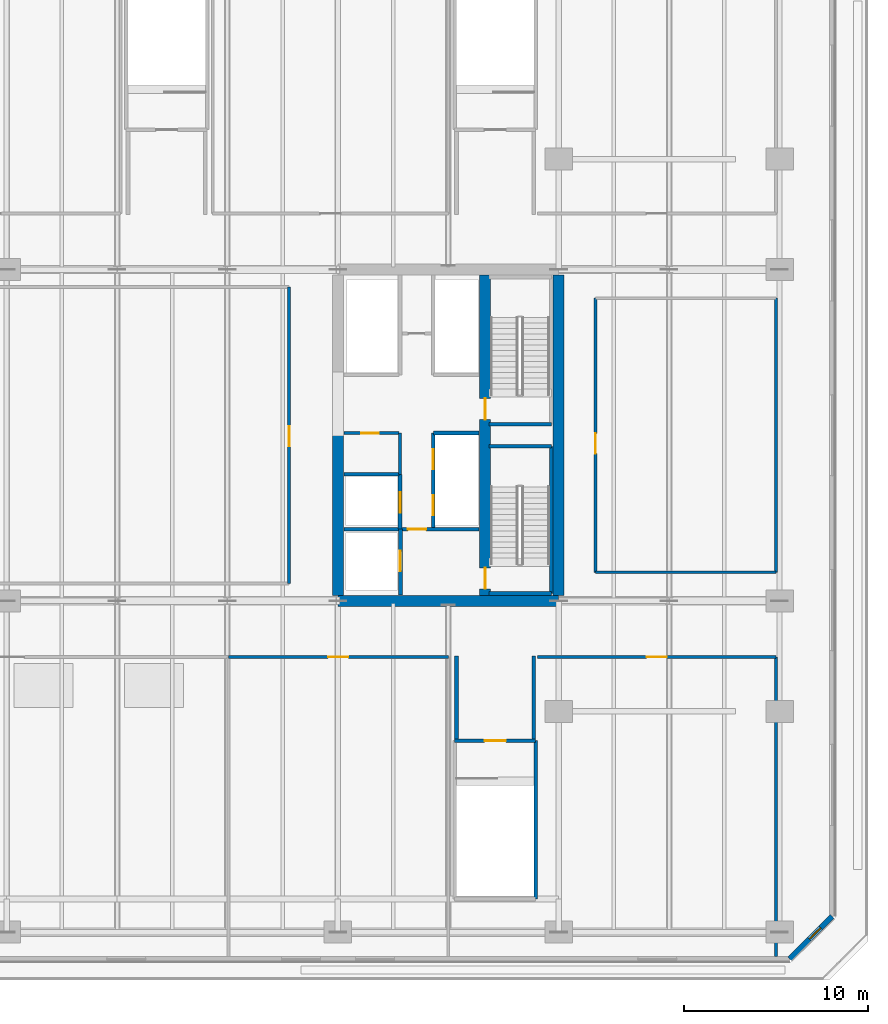
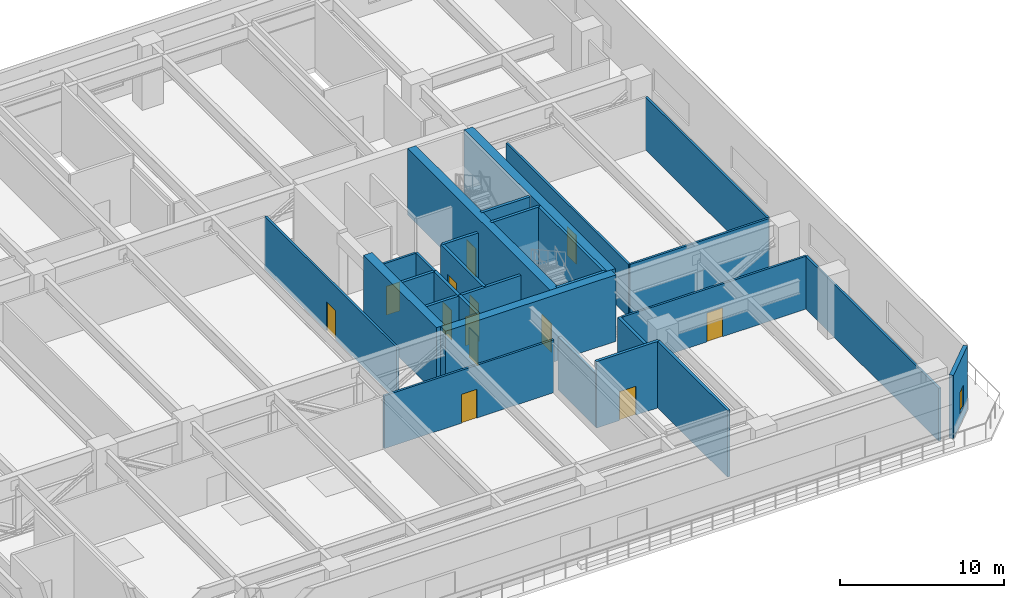
# One storey, part 14 of 25: 28 walls, 13 doors, 1 window, 14 openings.
"""IFC4 building model written with IfcOpenShell, lengths in metres."""

from ifc_helpers import new_model, si_unit, direction, frame, frame_2d, origin, place, context, subcontext, project, spatial, rectangle, extrude, material, layer, layer_set, type_object, element, fill, save


model = new_model("IFC4")

# Units and contexts
model_context = context("Model", 3, precision=1e-05, world=origin(), true_north=direction((0.0, 1.0)))
body_context = subcontext(model_context, "Body", "Model", "MODEL_VIEW")
ifc_project = project(units=[si_unit("LENGTHUNIT", "METRE"), si_unit("AREAUNIT", "SQUARE_METRE"), si_unit("VOLUMEUNIT", "CUBIC_METRE"), si_unit("PLANEANGLEUNIT", "RADIAN"), si_unit("MASSUNIT", "GRAM", prefix="KILO")], contexts=[model_context])

# Site, building, storey
site_placement = place(None, origin())
site = spatial("IfcSite", under=ifc_project, at=site_placement, CompositionType="ELEMENT")
building_placement = place(site_placement, origin())
building = spatial("IfcBuilding", under=site, at=building_placement, Name="Tanjung Sevakor Pilgrim Tower", CompositionType="ELEMENT")
storey_placement = place(building_placement, frame((0.0, 0.0, 24.090087890625)))
storey = spatial("IfcBuildingStorey", under=building, at=storey_placement, Name="L06", CompositionType="ELEMENT", Elevation=24.090087890625)

# Walls
ifc_material_1 = material(Name="Concrete C60/75", Category="concrete")
ifc_layer_1 = layer(ifc_material_1, 0.60009765625)
ifc_layer_set_1 = layer_set([ifc_layer_1], Name="WALL-CW-600")
wall_type_1 = type_object("IfcWallType", Name="WALL-CW-600", PredefinedType="SHEAR", material=ifc_layer_set_1)
wall_1_placement = place(storey_placement, frame((78.0, 24.60009765625, 0.0), z_axis=(0.0, 0.0, 1.0), x_axis=(1.0, 0.0, 0.0)))
element("IfcWall", 1, at=wall_1_placement, inside=storey, type_object=wall_type_1, Name="L06 E Core South Shear Wall", PredefinedType="SHEAR", context=body_context, shape_type="SweptSolid", body=[
    extrude(rectangle(XDim=12.0, YDim=0.60009765625, at=frame_2d((6.0, 0.0))), origin(), (0.0, 0.0, 1.0), 4.949951171875),
])
wall_2_placement = place(storey_placement, frame((90.0, 24.89990234375, 0.0), z_axis=(0.0, 0.0, 1.0), x_axis=(0.0, 1.0, 0.0)))
element("IfcWall", 2, at=wall_2_placement, inside=storey, type_object=wall_type_1, Name="L06 E Core Outer Shear Wall", PredefinedType="SHEAR", context=body_context, shape_type="SweptSolid", body=[
    extrude(rectangle(XDim=17.400146484375, YDim=0.60009765625, at=frame_2d((8.7001953125, 0.0))), origin(), (0.0, 0.0, 1.0), 4.949951171875),
])
wall_3_placement = place(storey_placement, frame((78.0, 24.89990234375, 0.0), z_axis=(0.0, 0.0, 1.0), x_axis=(0.0, 1.0, 0.0)))
element("IfcWall", 3, at=wall_3_placement, inside=storey, type_object=wall_type_1, Name="L06 E Core Inner Shear Wall South", PredefinedType="SHEAR", context=body_context, shape_type="SweptSolid", body=[
    extrude(rectangle(XDim=8.900146484375, YDim=0.60009765625, at=frame_2d((4.4501953125, 0.0))), origin(), (0.0, 0.0, 1.0), 4.949951171875),
])

# Wall, openings, doors
wall_4_placement = place(storey_placement, frame((86.0, 24.89990234375, 0.0), z_axis=(0.0, 0.0, 1.0), x_axis=(0.0, 1.0, 0.0)))
wall_4 = element("IfcWall", 4, at=wall_4_placement, inside=storey, type_object=wall_type_1, Name="L06 E Core Stair Spine Wall", PredefinedType="SHEAR", context=body_context, shape_type="SweptSolid", body=[
    extrude(rectangle(XDim=17.400146484375, YDim=0.60009765625, at=frame_2d((8.7001953125, 0.0))), origin(), (0.0, 0.0, 1.0), 4.949951171875),
])
opening_1_placement = place(wall_4_placement, frame((0.35009765625, 0.0, 0.0)))
opening_1 = element("IfcOpeningElement", 5, at=opening_1_placement, cuts=wall_4, Name="Opening ID-ST1", PredefinedType="OPENING", context=body_context, shape_type="SweptSolid", body=[
    extrude(rectangle(XDim=1.14990234375, YDim=2.14990234375, at=frame_2d((0.574951171875, 1.074951171875))), frame((0.0, 0.31005859375, 0.0), z_axis=(0.0, -1.0, 0.0), x_axis=(1.0, 0.0, 0.0)), (0.0, 0.0, 1.0), 0.6201171875),
])
opening_2_placement = place(wall_4_placement, frame((9.550048828125, 0.0, 0.0)))
opening_2 = element("IfcOpeningElement", 6, at=opening_2_placement, cuts=wall_4, Name="Opening ID-ST1", PredefinedType="OPENING", context=body_context, shape_type="SweptSolid", body=[
    extrude(rectangle(XDim=1.14990234375, YDim=2.14990234375, at=frame_2d((0.574951171875, 1.074951171875))), frame((0.0, 0.31005859375, 0.0), z_axis=(0.0, -1.0, 0.0), x_axis=(1.0, 0.0, 0.0)), (0.0, 0.0, 1.0), 0.6201171875),
])
ifc_material_2 = material(Name="Fire-Rated Steel S355J2", Category="steel")
door_type_1 = type_object("IfcDoorType", Name="DT-FIRE-1150", OperationType="NOTDEFINED", PredefinedType="DOOR", material=ifc_material_2)
door_1_placement = place(opening_1_placement, origin())
door_1 = element("IfcDoor", 7, at=door_1_placement, inside=storey, type_object=door_type_1, Name="L06 TS-E1 Stair Fire Door", OperationType="SINGLE_SWING_RIGHT", OverallHeight=2.14990234375, OverallWidth=1.14990234375, PredefinedType="DOOR", context=body_context, shape_type="SweptSolid", body=[
    extrude(rectangle(XDim=1.14990234375, YDim=2.14990234375, at=frame_2d((0.574951171875, 1.074951171875))), frame((0.0, 0.02490234375, 0.0), z_axis=(0.0, -1.0, 0.0), x_axis=(1.0, 0.0, 0.0)), (0.0, 0.0, 1.0), 0.050048828125),
])
fill(opening_1, door_1)
door_2_placement = place(opening_2_placement, origin())
door_2 = element("IfcDoor", 8, at=door_2_placement, inside=storey, type_object=door_type_1, Name="L06 TS-E2 Stair Fire Door", OperationType="SINGLE_SWING_LEFT", OverallHeight=2.14990234375, OverallWidth=1.14990234375, PredefinedType="DOOR", context=body_context, shape_type="SweptSolid", body=[
    extrude(rectangle(XDim=1.14990234375, YDim=2.14990234375, at=frame_2d((0.574951171875, 1.074951171875))), frame((0.0, 0.02490234375, 0.0), z_axis=(0.0, -1.0, 0.0), x_axis=(1.0, 0.0, 0.0)), (0.0, 0.0, 1.0), 0.050048828125),
])
fill(opening_2, door_2)

# Wall
ifc_material_3 = material(Name="Concrete C40/50", Category="concrete")
ifc_layer_2 = layer(ifc_material_3, 0.14990234375)
ifc_layer_set_2 = layer_set([ifc_layer_2], Name="WT-COMP-150")
wall_type_2 = type_object("IfcWallType", Name="WT-COMP-150", PredefinedType="SOLIDWALL", material=ifc_layer_set_2)
wall_5_placement = place(storey_placement, frame((81.3798828125, 31.47998046875, 0.0), z_axis=(0.0, 0.0, 1.0), x_axis=(0.0, 1.0, 0.0)))
element("IfcWall", 9, at=wall_5_placement, inside=storey, type_object=wall_type_2, Name="L06 Partition IW-L06-021", PredefinedType="SOLIDWALL", context=body_context, shape_type="SweptSolid", body=[
    extrude(rectangle(XDim=2.239990234375, YDim=0.14990234375, at=frame_2d((1.1201171875, 0.0))), origin(), (0.0, 0.0, 1.0), 3.929931640625),
])

# Wall, opening, door
wall_6_placement = place(storey_placement, frame((78.320068359375, 33.719970703125, 0.0), z_axis=(0.0, 0.0, 1.0), x_axis=(1.0, 0.0, 0.0)))
wall_6 = element("IfcWall", 10, at=wall_6_placement, inside=storey, type_object=wall_type_2, Name="L06 Partition IW-L06-022", PredefinedType="SOLIDWALL", context=body_context, shape_type="SweptSolid", body=[
    extrude(rectangle(XDim=3.0, YDim=0.14990234375, at=frame_2d((1.5, 0.0))), origin(), (0.0, 0.0, 1.0), 3.929931640625),
])
opening_3_placement = place(wall_6_placement, frame((0.949951171875, 0.0, 0.0)))
opening_3 = element("IfcOpeningElement", 11, at=opening_3_placement, cuts=wall_6, Name="Opening ID-FD2", PredefinedType="OPENING", context=body_context, shape_type="SweptSolid", body=[
    extrude(rectangle(XDim=0.949951171875, YDim=2.14990234375, at=frame_2d((0.47509765625, 1.074951171875))), frame((0.0, 0.0849609375, 0.0), z_axis=(0.0, -1.0, 0.0), x_axis=(1.0, 0.0, 0.0)), (0.0, 0.0, 1.0), 0.169921875),
])
ifc_material_4 = material(Name="Fire-Rated Timber", Category="wood")
door_type_2 = type_object("IfcDoorType", Name="DT-FIRE-950", OperationType="NOTDEFINED", PredefinedType="DOOR", material=ifc_material_4)
door_3_placement = place(opening_3_placement, origin())
door_3 = element("IfcDoor", 12, at=door_3_placement, inside=storey, type_object=door_type_2, Name="L06 Accessible WC Door", OperationType="SINGLE_SWING_LEFT", OverallHeight=2.14990234375, OverallWidth=0.949951171875, PredefinedType="DOOR", context=body_context, shape_type="SweptSolid", body=[
    extrude(rectangle(XDim=0.949951171875, YDim=2.14990234375, at=frame_2d((0.47509765625, 1.074951171875))), frame((0.0, 0.02490234375, 0.0), z_axis=(0.0, -1.0, 0.0), x_axis=(1.0, 0.0, 0.0)), (0.0, 0.0, 1.0), 0.050048828125),
])
fill(opening_3, door_3)

wall_7_placement = place(storey_placement, frame((72.050048828125, 21.550048828125, 0.0), z_axis=(0.0, 0.0, 1.0), x_axis=(1.0, 0.0, 0.0)))
wall_7 = element("IfcWall", 13, at=wall_7_placement, inside=storey, type_object=wall_type_2, Name="L06 Partition IW-L06-044", PredefinedType="SOLIDWALL", context=body_context, shape_type="SweptSolid", body=[
    extrude(rectangle(XDim=11.949951171875, YDim=0.14990234375, at=frame_2d((5.97509765625, 0.0))), origin(), (0.0, 0.0, 1.0), 3.929931640625),
])
opening_4_placement = place(wall_7_placement, frame((5.425048828125, 0.0, 0.0)))
opening_4 = element("IfcOpeningElement", 14, at=opening_4_placement, cuts=wall_7, Name="Opening ID-RM2", PredefinedType="OPENING", context=body_context, shape_type="SweptSolid", body=[
    extrude(rectangle(XDim=1.10009765625, YDim=2.14990234375, at=frame_2d((0.550048828125, 1.074951171875))), frame((0.0, 0.0849609375, 0.0), z_axis=(0.0, -1.0, 0.0), x_axis=(1.0, 0.0, 0.0)), (0.0, 0.0, 1.0), 0.169921875),
])
ifc_material_5 = material(Name="Hardwood Timber", Category="wood")
door_type_3 = type_object("IfcDoorType", Name="DT-INT-1100", OperationType="NOTDEFINED", PredefinedType="DOOR", material=ifc_material_5)
door_4_placement = place(opening_4_placement, origin())
door_4 = element("IfcDoor", 15, at=door_4_placement, inside=storey, type_object=door_type_3, Name="L06 South Tea Door", OperationType="SINGLE_SWING_RIGHT", OverallHeight=2.14990234375, OverallWidth=1.10009765625, PredefinedType="DOOR", context=body_context, shape_type="SweptSolid", body=[
    extrude(rectangle(XDim=1.10009765625, YDim=2.14990234375, at=frame_2d((0.550048828125, 1.074951171875))), frame((0.0, 0.02490234375, 0.0), z_axis=(0.0, -1.0, 0.0), x_axis=(1.0, 0.0, 0.0)), (0.0, 0.0, 1.0), 0.050048828125),
])
fill(opening_4, door_4)

wall_8_placement = place(storey_placement, frame((75.35009765625, 25.550048828125, 0.0), z_axis=(0.0, 0.0, 1.0), x_axis=(0.0, 1.0, 0.0)))
wall_8 = element("IfcWall", 16, at=wall_8_placement, inside=storey, type_object=wall_type_2, Name="L06 Partition IW-L06-060", PredefinedType="SOLIDWALL", context=body_context, shape_type="SweptSolid", body=[
    extrude(rectangle(XDim=16.099853515625, YDim=0.14990234375, at=frame_2d((8.0498046875, 0.0))), origin(), (0.0, 0.0, 1.0), 3.929931640625),
])
opening_5_placement = place(wall_8_placement, frame((7.449951171875, 0.0, 0.0)))
opening_5 = element("IfcOpeningElement", 17, at=opening_5_placement, cuts=wall_8, Name="Opening ID-RM2", PredefinedType="OPENING", context=body_context, shape_type="SweptSolid", body=[
    extrude(rectangle(XDim=1.10009765625, YDim=2.14990234375, at=frame_2d((0.550048828125, 1.074951171875))), frame((0.0, 0.0849609375, 0.0), z_axis=(0.0, -1.0, 0.0), x_axis=(1.0, 0.0, 0.0)), (0.0, 0.0, 1.0), 0.169921875),
])
door_5_placement = place(opening_5_placement, origin())
door_5 = element("IfcDoor", 18, at=door_5_placement, inside=storey, type_object=door_type_3, Name="L06 East Council Door", OperationType="SINGLE_SWING_LEFT", OverallHeight=2.14990234375, OverallWidth=1.10009765625, PredefinedType="DOOR", context=body_context, shape_type="SweptSolid", body=[
    extrude(rectangle(XDim=1.10009765625, YDim=2.14990234375, at=frame_2d((0.550048828125, 1.074951171875))), frame((0.0, 0.02490234375, 0.0), z_axis=(0.0, -1.0, 0.0), x_axis=(1.0, 0.0, 0.0)), (0.0, 0.0, 1.0), 0.050048828125),
])
fill(opening_5, door_5)

# Wall
wall_9_placement = place(storey_placement, frame((92.0, 26.14990234375, 0.0), z_axis=(0.0, 0.0, 1.0), x_axis=(1.0, 0.0, 0.0)))
element("IfcWall", 19, at=wall_9_placement, inside=storey, type_object=wall_type_2, Name="L06 Partition IW-L06-065", PredefinedType="SOLIDWALL", context=body_context, shape_type="SweptSolid", body=[
    extrude(rectangle(XDim=9.800048828125, YDim=0.14990234375, at=frame_2d((4.89990234375, 0.0))), origin(), (0.0, 0.0, 1.0), 3.929931640625),
])

# Wall, opening, door
wall_10_placement = place(storey_placement, frame((92.0, 26.14990234375, 0.0), z_axis=(0.0, 0.0, 1.0), x_axis=(0.0, 1.0, 0.0)))
wall_10 = element("IfcWall", 20, at=wall_10_placement, inside=storey, type_object=wall_type_2, Name="L06 Partition IW-L06-067", PredefinedType="SOLIDWALL", context=body_context, shape_type="SweptSolid", body=[
    extrude(rectangle(XDim=14.900146484375, YDim=0.14990234375, at=frame_2d((7.4501953125, 0.0))), origin(), (0.0, 0.0, 1.0), 3.929931640625),
])
opening_6_placement = place(wall_10_placement, frame((6.449951171875, 0.0, 0.0)))
opening_6 = element("IfcOpeningElement", 21, at=opening_6_placement, cuts=wall_10, Name="Opening ID-RM2", PredefinedType="OPENING", context=body_context, shape_type="SweptSolid", body=[
    extrude(rectangle(XDim=1.10009765625, YDim=2.14990234375, at=frame_2d((0.550048828125, 1.074951171875))), frame((0.0, 0.0849609375, 0.0), z_axis=(0.0, -1.0, 0.0), x_axis=(1.0, 0.0, 0.0)), (0.0, 0.0, 1.0), 0.169921875),
])
door_6_placement = place(opening_6_placement, origin())
door_6 = element("IfcDoor", 22, at=door_6_placement, inside=storey, type_object=door_type_3, Name="L06 East Tea Door", OperationType="SINGLE_SWING_LEFT", OverallHeight=2.14990234375, OverallWidth=1.10009765625, PredefinedType="DOOR", context=body_context, shape_type="SweptSolid", body=[
    extrude(rectangle(XDim=1.10009765625, YDim=2.14990234375, at=frame_2d((0.550048828125, 1.074951171875))), frame((0.0, 0.02490234375, 0.0), z_axis=(0.0, -1.0, 0.0), x_axis=(1.0, 0.0, 0.0)), (0.0, 0.0, 1.0), 0.050048828125),
])
fill(opening_6, door_6)

# Wall
wall_11_placement = place(storey_placement, frame((101.800048828125, 26.14990234375, 0.0), z_axis=(0.0, 0.0, 1.0), x_axis=(0.0, 1.0, 0.0)))
element("IfcWall", 23, at=wall_11_placement, inside=storey, type_object=wall_type_2, Name="L06 Partition IW-L06-068", PredefinedType="SOLIDWALL", context=body_context, shape_type="SweptSolid", body=[
    extrude(rectangle(XDim=14.900146484375, YDim=0.14990234375, at=frame_2d((7.4501953125, 0.0))), origin(), (0.0, 0.0, 1.0), 3.929931640625),
])

# Wall, opening, door
wall_12_placement = place(storey_placement, frame((88.85009765625, 21.550048828125, 0.0), z_axis=(0.0, 0.0, 1.0), x_axis=(1.0, 0.0, 0.0)))
wall_12 = element("IfcWall", 24, at=wall_12_placement, inside=storey, type_object=wall_type_2, Name="L06 Partition IW-L06-072", PredefinedType="SOLIDWALL", context=body_context, shape_type="SweptSolid", body=[
    extrude(rectangle(XDim=12.949951171875, YDim=0.14990234375, at=frame_2d((6.47509765625, 0.0))), origin(), (0.0, 0.0, 1.0), 3.929931640625),
])
opening_7_placement = place(wall_12_placement, frame((5.925048828125, 0.0, 0.0)))
opening_7 = element("IfcOpeningElement", 25, at=opening_7_placement, cuts=wall_12, Name="Opening ID-RM2", PredefinedType="OPENING", context=body_context, shape_type="SweptSolid", body=[
    extrude(rectangle(XDim=1.10009765625, YDim=2.14990234375, at=frame_2d((0.550048828125, 1.074951171875))), frame((0.0, 0.0849609375, 0.0), z_axis=(0.0, -1.0, 0.0), x_axis=(1.0, 0.0, 0.0)), (0.0, 0.0, 1.0), 0.169921875),
])
door_7_placement = place(opening_7_placement, origin())
door_7 = element("IfcDoor", 26, at=door_7_placement, inside=storey, type_object=door_type_3, Name="L06 SE Meditation Door", OperationType="SINGLE_SWING_LEFT", OverallHeight=2.14990234375, OverallWidth=1.10009765625, PredefinedType="DOOR", context=body_context, shape_type="SweptSolid", body=[
    extrude(rectangle(XDim=1.10009765625, YDim=2.14990234375, at=frame_2d((0.550048828125, 1.074951171875))), frame((0.0, 0.02490234375, 0.0), z_axis=(0.0, -1.0, 0.0), x_axis=(1.0, 0.0, 0.0)), (0.0, 0.0, 1.0), 0.050048828125),
])
fill(opening_7, door_7)

# Wall
wall_13_placement = place(storey_placement, frame((101.800048828125, 5.280029296875, 0.0), z_axis=(0.0, 0.0, 1.0), x_axis=(0.0, 1.0, 0.0)))
element("IfcWall", 27, at=wall_13_placement, inside=storey, type_object=wall_type_2, Name="L06 Partition IW-L06-073", PredefinedType="SOLIDWALL", context=body_context, shape_type="SweptSolid", body=[
    extrude(rectangle(XDim=16.27001953125, YDim=0.14990234375, at=frame_2d((8.135009765625, 0.0))), origin(), (0.0, 0.0, 1.0), 3.929931640625),
])

# Wall, opening, window
ifc_material_6 = material(Name="Precast concrete C45/55", Category="concrete")
ifc_layer_3 = layer(ifc_material_6, 0.280029296875)
ifc_layer_set_3 = layer_set([ifc_layer_3], Name="WT-EW-STN2")
wall_type_3 = type_object("IfcWallType", Name="WT-EW-STN2", PredefinedType="SOLIDWALL", material=ifc_layer_set_3)
wall_14_placement = place(storey_placement, frame((102.5419921875, 5.139892578125, 0.0), z_axis=(0.0, 0.0, 1.0), x_axis=(0.707106781187, 0.707106781187, 0.0)))
wall_14 = element("IfcWall", 28, at=wall_14_placement, inside=storey, type_object=wall_type_3, Name="L06 MAIN Exterior Wall 2", PredefinedType="SOLIDWALL", context=body_context, shape_type="SweptSolid", body=[
    extrude(rectangle(XDim=3.2783203125, YDim=0.280029296875, at=frame_2d((1.63916015625, 0.0))), origin(), (0.0, 0.0, 1.0), 4.7099609375),
])
opening_8_placement = place(wall_14_placement, frame((1.5341796875, 0.0, 0.780029296875)))
opening_8 = element("IfcOpeningElement", 29, at=opening_8_placement, cuts=wall_14, Name="Opening WN-SLM", PredefinedType="OPENING", context=body_context, shape_type="SweptSolid", body=[
    extrude(rectangle(XDim=0.85009765625, YDim=1.64990234375, at=frame_2d((0.425048828125, 0.824951171875))), frame((0.0, 0.14990234375, 0.0), z_axis=(0.0, -1.0, 0.0), x_axis=(1.0, 0.0, 0.0)), (0.0, 0.0, 1.0), 0.300048828125),
])
ifc_material_7 = material(Name="Thermally Broken Aluminium and Low-E Glass", Category="aluminium")
window_type = type_object("IfcWindowType", Name="WTYP-WN-SLM", PartitioningType="SINGLE_PANEL", PredefinedType="WINDOW", material=ifc_material_7)
window_placement = place(opening_8_placement, origin())
window = element("IfcWindow", 30, at=window_placement, inside=storey, type_object=window_type, Name="L06 Facade Window 01", OverallHeight=1.64990234375, OverallWidth=0.85009765625, PartitioningType="SINGLE_PANEL", PredefinedType="WINDOW", context=body_context, shape_type="SweptSolid", body=[
    extrude(rectangle(XDim=0.85009765625, YDim=1.64990234375, at=frame_2d((0.425048828125, 0.824951171875))), frame((0.0, 0.030029296875, 0.0), z_axis=(0.0, -1.0, 0.0), x_axis=(1.0, 0.0, 0.0)), (0.0, 0.0, 1.0), 0.06005859375),
])
fill(opening_8, window)

# Walls
ifc_material_8 = material(Name="Concrete C40/50", Category="concrete")
ifc_layer_4 = layer(ifc_material_8, 0.199951171875)
ifc_layer_set_4 = layer_set([ifc_layer_4], Name="WT-FIRE-200")
wall_type_4 = type_object("IfcWallType", Name="WT-FIRE-200", PredefinedType="SOLIDWALL", material=ifc_layer_set_4)
wall_15_placement = place(storey_placement, frame((86.199951171875, 25.0, 0.0), z_axis=(0.0, 0.0, 1.0), x_axis=(1.0, 0.0, 0.0)))
element("IfcWall", 31, at=wall_15_placement, inside=storey, type_object=wall_type_4, Name="L06 TS-E1 Shaft Wall 1", PredefinedType="SOLIDWALL", context=body_context, shape_type="SweptSolid", body=[
    extrude(rectangle(XDim=3.400146484375, YDim=0.199951171875, at=frame_2d((1.7001953125, 0.0))), origin(), (0.0, 0.0, 1.0), 4.949951171875),
])
wall_16_placement = place(storey_placement, frame((89.60009765625, 25.0, 0.0), z_axis=(0.0, 0.0, 1.0), x_axis=(0.0, 1.0, 0.0)))
element("IfcWall", 32, at=wall_16_placement, inside=storey, type_object=wall_type_4, Name="L06 TS-E1 Shaft Wall 2", PredefinedType="SOLIDWALL", context=body_context, shape_type="SweptSolid", body=[
    extrude(rectangle(XDim=8.0, YDim=0.199951171875, at=frame_2d((4.0, 0.0))), origin(), (0.0, 0.0, 1.0), 4.949951171875),
])
for number, where, z_axis, x_axis, name in (
    (33, (89.60009765625, 33.0, 0.0), (0.0, 0.0, 1.0), (-1.0, 0.0, 0.0), "L06 TS-E1 Shaft Wall 3"),
    (34, (86.199951171875, 34.199951171875, 0.0), (0.0, 0.0, 1.0), (1.0, 0.0, 0.0), "L06 TS-E2 Shaft Wall 1"),
):
    element("IfcWall", number, at=place(storey_placement, frame(where, z_axis=z_axis, x_axis=x_axis)), inside=storey, type_object=wall_type_4, Name=name, PredefinedType="SOLIDWALL", context=body_context, shape_type="SweptSolid", body=[
        extrude(rectangle(XDim=3.400146484375, YDim=0.199951171875, at=frame_2d((1.7001953125, 0.0))), origin(), (0.0, 0.0, 1.0), 4.949951171875),
    ])
wall_17_placement = place(storey_placement, frame((88.75, 8.39990234375, 0.0), z_axis=(0.0, 0.0, 1.0), x_axis=(0.0, 1.0, 0.0)))
element("IfcWall", 35, at=wall_17_placement, inside=storey, type_object=wall_type_4, Name="L06 PS-5 Shaft Wall 2", PredefinedType="SOLIDWALL", context=body_context, shape_type="SweptSolid", body=[
    extrude(rectangle(XDim=8.60009765625, YDim=0.199951171875, at=frame_2d((4.300048828125, 0.0))), origin(), (0.0, 0.0, 1.0), 4.949951171875),
])

# Wall, opening, door
wall_18_placement = place(storey_placement, frame((88.75, 17.0, 0.0), z_axis=(0.0, 0.0, 1.0), x_axis=(-1.0, 0.0, 0.0)))
wall_18 = element("IfcWall", 36, at=wall_18_placement, inside=storey, type_object=wall_type_4, Name="L06 PS-5 Shaft Wall 3", PredefinedType="SOLIDWALL", context=body_context, shape_type="SweptSolid", body=[
    extrude(rectangle(XDim=4.39990234375, YDim=0.199951171875, at=frame_2d((2.199951171875, 0.0))), origin(), (0.0, 0.0, 1.0), 4.949951171875),
])
opening_9_placement = place(wall_18_placement, frame((1.625, 0.0, 0.0)))
opening_9 = element("IfcOpeningElement", 37, at=opening_9_placement, cuts=wall_18, Name="Opening ID-ST1", PredefinedType="OPENING", context=body_context, shape_type="SweptSolid", body=[
    extrude(rectangle(XDim=1.14990234375, YDim=2.14990234375, at=frame_2d((0.574951171875, 1.074951171875))), frame((0.0, 0.10986328125, 0.0), z_axis=(0.0, -1.0, 0.0), x_axis=(1.0, 0.0, 0.0)), (0.0, 0.0, 1.0), 0.219970703125),
])
door_8_placement = place(opening_9_placement, origin())
door_8 = element("IfcDoor", 38, at=door_8_placement, inside=storey, type_object=door_type_1, Name="L06 PS-5 Stair Entry Fire Door", OperationType="SINGLE_SWING_RIGHT", OverallHeight=2.14990234375, OverallWidth=1.14990234375, PredefinedType="DOOR", context=body_context, shape_type="SweptSolid", body=[
    extrude(rectangle(XDim=1.14990234375, YDim=2.14990234375, at=frame_2d((0.574951171875, 1.074951171875))), frame((0.0, 0.02490234375, 0.0), z_axis=(0.0, -1.0, 0.0), x_axis=(1.0, 0.0, 0.0)), (0.0, 0.0, 1.0), 0.050048828125),
])
fill(opening_9, door_8)

ifc_material_9 = material(Name="Concrete C40/50", Category="concrete")
ifc_layer_5 = layer(ifc_material_9, 0.199951171875)
ifc_layer_set_5 = layer_set([ifc_layer_5], Name="WT-FPRT-200")
wall_type_5 = type_object("IfcWallType", Name="WT-FPRT-200", PredefinedType="SOLIDWALL", material=ifc_layer_set_5)
wall_19_placement = place(storey_placement, frame((81.39990234375, 24.919921875, 0.0), z_axis=(0.0, 0.0, 1.0), x_axis=(0.0, 1.0, 0.0)))
wall_19 = element("IfcWall", 39, at=wall_19_placement, inside=storey, type_object=wall_type_5, Name="L06 Partition IW-L06-014", PredefinedType="SOLIDWALL", context=body_context, shape_type="SweptSolid", body=[
    extrude(rectangle(XDim=3.580078125, YDim=0.199951171875, at=frame_2d((1.7900390625, 0.0))), origin(), (0.0, 0.0, 1.0), 3.929931640625),
])
opening_10_placement = place(wall_19_placement, frame((1.300048828125, 0.0, 0.0)))
opening_10 = element("IfcOpeningElement", 40, at=opening_10_placement, cuts=wall_19, Name="Opening LD-1100", PredefinedType="OPENING", context=body_context, shape_type="SweptSolid", body=[
    extrude(rectangle(XDim=1.10009765625, YDim=2.199951171875, at=frame_2d((0.550048828125, 1.10009765625))), frame((0.0, 0.10986328125, 0.0), z_axis=(0.0, -1.0, 0.0), x_axis=(1.0, 0.0, 0.0)), (0.0, 0.0, 1.0), 0.219970703125),
])
ifc_material_10 = material(Name="Brushed Stainless Steel S355J2", Category="steel")
door_type_4 = type_object("IfcDoorType", Name="DT-LIFT-1100", OperationType="SLIDING_TO_LEFT", PredefinedType="DOOR", material=ifc_material_10)
door_9_placement = place(opening_10_placement, origin())
door_9 = element("IfcDoor", 41, at=door_9_placement, inside=storey, type_object=door_type_4, Name="LD-FL-E", OperationType="SLIDING_TO_LEFT", OverallHeight=2.199951171875, OverallWidth=1.10009765625, PredefinedType="DOOR", context=body_context, shape_type="SweptSolid", body=[
    extrude(rectangle(XDim=1.10009765625, YDim=2.199951171875, at=frame_2d((0.550048828125, 1.10009765625))), frame((0.0, 0.02490234375, 0.0), z_axis=(0.0, -1.0, 0.0), x_axis=(1.0, 0.0, 0.0)), (0.0, 0.0, 1.0), 0.050048828125),
])
fill(opening_10, door_9)

wall_20_placement = place(storey_placement, frame((78.320068359375, 28.5, 0.0), z_axis=(0.0, 0.0, 1.0), x_axis=(1.0, 0.0, 0.0)))
wall_20 = element("IfcWall", 42, at=wall_20_placement, inside=storey, type_object=wall_type_5, Name="L06 Partition IW-L06-015", PredefinedType="SOLIDWALL", context=body_context, shape_type="SweptSolid", body=[
    extrude(rectangle(XDim=7.35986328125, YDim=0.199951171875, at=frame_2d((3.679931640625, 0.0))), origin(), (0.0, 0.0, 1.0), 3.929931640625),
])
opening_11_placement = place(wall_20_placement, frame((3.47998046875, 0.0, 0.0)))
opening_11 = element("IfcOpeningElement", 43, at=opening_11_placement, cuts=wall_20, Name="Opening ID-FD1", PredefinedType="OPENING", context=body_context, shape_type="SweptSolid", body=[
    extrude(rectangle(XDim=1.0, YDim=2.14990234375, at=frame_2d((0.5, 1.074951171875))), frame((0.0, 0.10986328125, 0.0), z_axis=(0.0, -1.0, 0.0), x_axis=(1.0, 0.0, 0.0)), (0.0, 0.0, 1.0), 0.219970703125),
])
ifc_material_11 = material(Name="Fire-Rated Steel S355J2", Category="steel")
door_type_5 = type_object("IfcDoorType", Name="DT-FIRE-1000", OperationType="NOTDEFINED", PredefinedType="DOOR", material=ifc_material_11)
door_10_placement = place(opening_11_placement, origin())
door_10 = element("IfcDoor", 44, at=door_10_placement, inside=storey, type_object=door_type_5, Name="Fire Lobby Door E", OperationType="SINGLE_SWING_RIGHT", OverallHeight=2.14990234375, OverallWidth=1.0, PredefinedType="DOOR", context=body_context, shape_type="SweptSolid", body=[
    extrude(rectangle(XDim=1.0, YDim=2.14990234375, at=frame_2d((0.5, 1.074951171875))), frame((0.0, 0.02490234375, 0.0), z_axis=(0.0, -1.0, 0.0), x_axis=(1.0, 0.0, 0.0)), (0.0, 0.0, 1.0), 0.050048828125),
])
fill(opening_11, door_10)

# Wall
wall_21_placement = place(storey_placement, frame((83.199951171875, 33.719970703125, 0.0), z_axis=(0.0, 0.0, 1.0), x_axis=(1.0, 0.0, 0.0)))
element("IfcWall", 45, at=wall_21_placement, inside=storey, type_object=wall_type_5, Name="L06 Partition IW-L06-017", PredefinedType="SOLIDWALL", context=body_context, shape_type="SweptSolid", body=[
    extrude(rectangle(XDim=2.47998046875, YDim=0.199951171875, at=frame_2d((1.239990234375, 0.0))), origin(), (0.0, 0.0, 1.0), 3.929931640625),
])

# Wall, openings, doors
wall_22_placement = place(storey_placement, frame((83.179931640625, 28.5, 0.0), z_axis=(0.0, 0.0, 1.0), x_axis=(0.0, 1.0, 0.0)))
wall_22 = element("IfcWall", 46, at=wall_22_placement, inside=storey, type_object=wall_type_5, Name="L06 Partition IW-L06-018", PredefinedType="SOLIDWALL", context=body_context, shape_type="SweptSolid", body=[
    extrude(rectangle(XDim=5.219970703125, YDim=0.199951171875, at=frame_2d((2.60986328125, 0.0))), origin(), (0.0, 0.0, 1.0), 3.929931640625),
])
opening_12_placement = place(wall_22_placement, frame((0.75, 0.0, 0.0)))
opening_12 = element("IfcOpeningElement", 47, at=opening_12_placement, cuts=wall_22, Name="Opening LD-1100", PredefinedType="OPENING", context=body_context, shape_type="SweptSolid", body=[
    extrude(rectangle(XDim=1.10009765625, YDim=2.199951171875, at=frame_2d((0.550048828125, 1.10009765625))), frame((0.0, 0.10986328125, 0.0), z_axis=(0.0, -1.0, 0.0), x_axis=(1.0, 0.0, 0.0)), (0.0, 0.0, 1.0), 0.219970703125),
])
opening_13_placement = place(wall_22_placement, frame((3.25, 0.0, 0.0)))
opening_13 = element("IfcOpeningElement", 48, at=opening_13_placement, cuts=wall_22, Name="Opening LD-1100", PredefinedType="OPENING", context=body_context, shape_type="SweptSolid", body=[
    extrude(rectangle(XDim=1.10009765625, YDim=2.199951171875, at=frame_2d((0.550048828125, 1.10009765625))), frame((0.0, 0.10986328125, 0.0), z_axis=(0.0, -1.0, 0.0), x_axis=(1.0, 0.0, 0.0)), (0.0, 0.0, 1.0), 0.219970703125),
])
door_11_placement = place(opening_12_placement, origin())
door_11 = element("IfcDoor", 49, at=door_11_placement, inside=storey, type_object=door_type_4, Name="LD-PLL1-E", OperationType="SLIDING_TO_LEFT", OverallHeight=2.199951171875, OverallWidth=1.10009765625, PredefinedType="DOOR", context=body_context, shape_type="SweptSolid", body=[
    extrude(rectangle(XDim=1.10009765625, YDim=2.199951171875, at=frame_2d((0.550048828125, 1.10009765625))), frame((0.0, 0.02490234375, 0.0), z_axis=(0.0, -1.0, 0.0), x_axis=(1.0, 0.0, 0.0)), (0.0, 0.0, 1.0), 0.050048828125),
])
fill(opening_12, door_11)
door_12_placement = place(opening_13_placement, origin())
door_12 = element("IfcDoor", 50, at=door_12_placement, inside=storey, type_object=door_type_4, Name="LD-PLL2-E", OperationType="SLIDING_TO_RIGHT", OverallHeight=2.199951171875, OverallWidth=1.10009765625, PredefinedType="DOOR", context=body_context, shape_type="SweptSolid", body=[
    extrude(rectangle(XDim=1.10009765625, YDim=2.199951171875, at=frame_2d((0.550048828125, 1.10009765625))), frame((0.0, 0.02490234375, 0.0), z_axis=(0.0, -1.0, 0.0), x_axis=(1.0, 0.0, 0.0)), (0.0, 0.0, 1.0), 0.050048828125),
])
fill(opening_13, door_12)

# Wall
wall_23_placement = place(storey_placement, frame((78.320068359375, 31.47998046875, 0.0), z_axis=(0.0, 0.0, 1.0), x_axis=(1.0, 0.0, 0.0)))
element("IfcWall", 51, at=wall_23_placement, inside=storey, type_object=wall_type_5, Name="L06 Partition IW-L06-019", PredefinedType="SOLIDWALL", context=body_context, shape_type="SweptSolid", body=[
    extrude(rectangle(XDim=3.0, YDim=0.199951171875, at=frame_2d((1.5, 0.0))), origin(), (0.0, 0.0, 1.0), 3.929931640625),
])

# Wall, opening, door
wall_24_placement = place(storey_placement, frame((81.3798828125, 28.5, 0.0), z_axis=(0.0, 0.0, 1.0), x_axis=(0.0, 1.0, 0.0)))
wall_24 = element("IfcWall", 52, at=wall_24_placement, inside=storey, type_object=wall_type_5, Name="L06 Partition IW-L06-020", PredefinedType="SOLIDWALL", context=body_context, shape_type="SweptSolid", body=[
    extrude(rectangle(XDim=2.97998046875, YDim=0.199951171875, at=frame_2d((1.489990234375, 0.0))), origin(), (0.0, 0.0, 1.0), 3.929931640625),
])
opening_14_placement = place(wall_24_placement, frame((0.89990234375, 0.0, 0.0)))
opening_14 = element("IfcOpeningElement", 53, at=opening_14_placement, cuts=wall_24, Name="Opening LD-1100", PredefinedType="OPENING", context=body_context, shape_type="SweptSolid", body=[
    extrude(rectangle(XDim=1.10009765625, YDim=2.199951171875, at=frame_2d((0.550048828125, 1.10009765625))), frame((0.0, 0.10986328125, 0.0), z_axis=(0.0, -1.0, 0.0), x_axis=(1.0, 0.0, 0.0)), (0.0, 0.0, 1.0), 0.219970703125),
])
door_13_placement = place(opening_14_placement, origin())
door_13 = element("IfcDoor", 54, at=door_13_placement, inside=storey, type_object=door_type_4, Name="LD-SLP-E", OperationType="SLIDING_TO_LEFT", OverallHeight=2.199951171875, OverallWidth=1.10009765625, PredefinedType="DOOR", context=body_context, shape_type="SweptSolid", body=[
    extrude(rectangle(XDim=1.10009765625, YDim=2.199951171875, at=frame_2d((0.550048828125, 1.10009765625))), frame((0.0, 0.02490234375, 0.0), z_axis=(0.0, -1.0, 0.0), x_axis=(1.0, 0.0, 0.0)), (0.0, 0.0, 1.0), 0.050048828125),
])
fill(opening_14, door_13)

# Walls
for number, where, z_axis, x_axis, name in (
    (55, (84.449951171875, 17.0, 0.0), (0.0, 0.0, 1.0), (0.0, 1.0, 0.0), "L06 Partition IW-L06-031"),
    (56, (88.64990234375, 17.0, 0.0), (0.0, 0.0, 1.0), (0.0, 1.0, 0.0), "L06 Partition IW-L06-032"),
):
    element("IfcWall", number, at=place(storey_placement, frame(where, z_axis=z_axis, x_axis=x_axis)), inside=storey, type_object=wall_type_5, Name=name, PredefinedType="SOLIDWALL", context=body_context, shape_type="SweptSolid", body=[
        extrude(rectangle(XDim=4.60009765625, YDim=0.199951171875, at=frame_2d((2.300048828125, 0.0))), origin(), (0.0, 0.0, 1.0), 3.929931640625),
    ])

save(model, "model.ifc")
